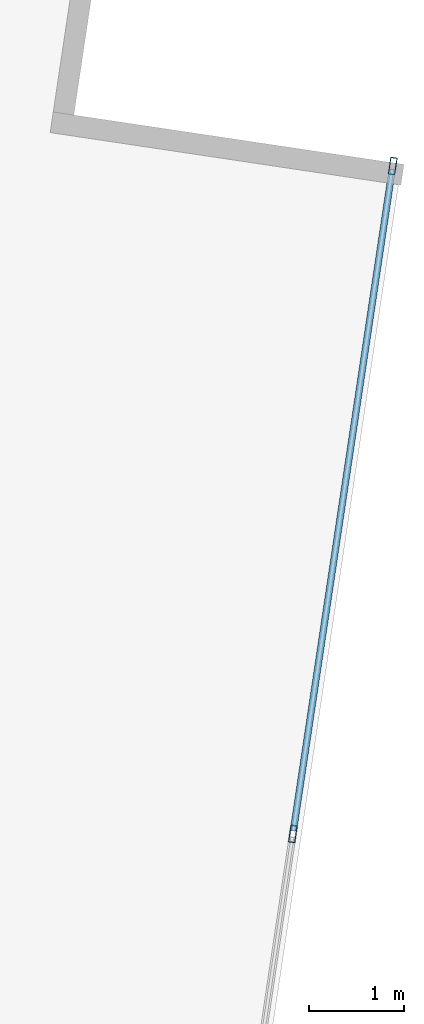
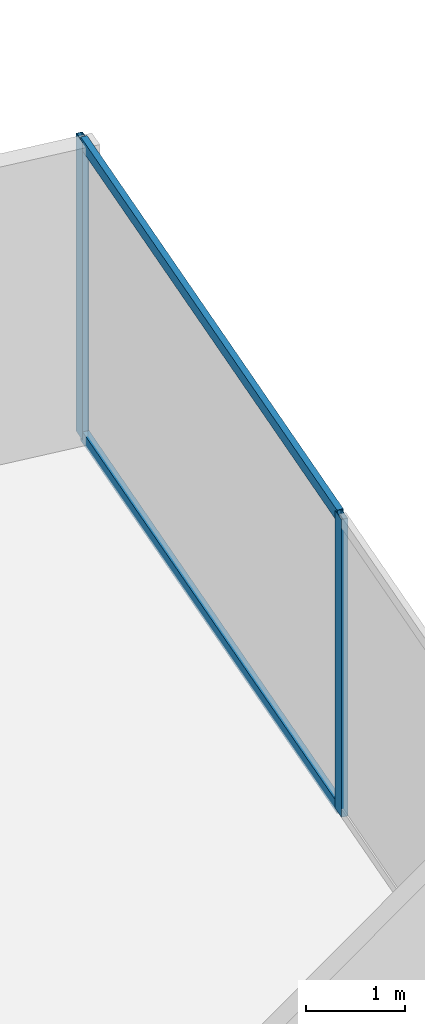
# One storey, part 21 of 29: 4 members, 1 element without a shape of its own.
"""IFC4 building model written with IfcOpenShell, lengths in metres."""

from ifc_helpers import new_model, si_unit, direction, frame, origin, origin_2d, place, context, subcontext, project, spatial, hollow_rectangle, extrude, source, transform, mapped, material, material_profile, profile_set, type_object, type_shapes, element, aggregate, save


model = new_model("IFC4")

# Units and contexts
model_context = context("Model", 3, precision=1e-05, world=origin(), true_north=direction((0.0, 1.0)))
body_context = subcontext(model_context, "Body", "Model", "MODEL_VIEW")
ifc_project = project(units=[si_unit("LENGTHUNIT", "METRE"), si_unit("AREAUNIT", "SQUARE_METRE"), si_unit("VOLUMEUNIT", "CUBIC_METRE"), si_unit("PLANEANGLEUNIT", "RADIAN"), si_unit("MASSUNIT", "GRAM", prefix="KILO")], contexts=[model_context])

# Site, building, storey
site_placement = place(None, origin())
site = spatial("IfcSite", under=ifc_project, at=site_placement, CompositionType="ELEMENT")
building_placement = place(site_placement, origin())
building = spatial("IfcBuilding", under=site, at=building_placement, Name="Krantzveldt Concourse Tower", CompositionType="ELEMENT")
storey_placement = place(building_placement, frame((0.0, 0.0, 72.39990234375)))
storey = spatial("IfcBuildingStorey", under=building, at=storey_placement, Name="L17", CompositionType="ELEMENT", Elevation=72.39990234375)

# Curtain wall, members
ifc_material = material(Name="Anodised aluminium 6063-T6", Category="aluminium")
curtain_wall_type = type_object("IfcCurtainWallType", Name="CW2", PredefinedType="USERDEFINED", material=ifc_material)
curtain_wall_placement = place(storey_placement, origin())
curtain_wall = element("IfcCurtainWall", 1, at=curtain_wall_placement, inside=storey, type_object=curtain_wall_type, Name="CW-L17-F07", ObjectType="UNITISED CURTAIN WALL", PredefinedType="USERDEFINED")
ifc_material_profile_1 = material_profile(ifc_material, hollow_rectangle(XDim=0.070068359375, YDim=0.139892578125, WallThickness=0.0048828125, at=origin_2d()), Name="Anodised aluminium 6063-T6", Category="aluminium")
ifc_profile_set_1 = profile_set([ifc_material_profile_1], Name="Anodised aluminium 6063-T6 - ALU-TRAN 140x70x5")
member_type_1 = type_object("IfcMemberType", Name="CW-TRN-150", PredefinedType="USERDEFINED", material=ifc_profile_set_1)
shared_shape_1 = source(origin(), body_context, "Body", "SweptSolid", [
    extrude(hollow_rectangle(XDim=0.070068359375, YDim=0.139892578125, WallThickness=0.0048828125, at=origin_2d()), origin(), (0.0, 0.0, 1.0), 7.061767578125),
])
type_shapes(member_type_1, [shared_shape_1])
member_1_placement = place(storey_placement, frame((62.76025390625, 37.228515625, 0.03515625), z_axis=(0.147797751082, 0.989017605897, 0.0), x_axis=(-0.989017605897, 0.147797751082, 0.0)))
member_1 = element("IfcMember", 2, at=member_1_placement, type_object=member_type_1, Name="CW-Z12 transom 6.1", ObjectType="TRANSOM", PredefinedType="USERDEFINED", context=body_context, shape_type="MappedRepresentation", body=[
    mapped(shared_shape_1, transform((0.0, 0.0, 0.0), x_axis=(1.0, 0.0, 0.0), y_axis=(0.0, 1.0, 0.0), z_axis=(0.0, 0.0, 1.0), scale=1.0)),
])
member_2_placement = place(storey_placement, frame((62.76025390625, 37.228515625, 3.635009765625), z_axis=(0.147797751082, 0.989017605897, 0.0), x_axis=(-0.989017605897, 0.147797751082, 0.0)))
member_2 = element("IfcMember", 3, at=member_2_placement, type_object=member_type_1, Name="CW-Z12 transom 6.2", ObjectType="TRANSOM", PredefinedType="USERDEFINED", context=body_context, shape_type="MappedRepresentation", body=[
    mapped(shared_shape_1, transform((0.0, 0.0, 0.0), x_axis=(1.0, 0.0, 0.0), y_axis=(0.0, 1.0, 0.0), z_axis=(0.0, 0.0, 1.0), scale=1.0)),
])
ifc_material_profile_2 = material_profile(ifc_material, hollow_rectangle(XDim=0.070068359375, YDim=0.179931640625, WallThickness=0.0048828125, at=origin_2d()), Name="Anodised aluminium 6063-T6", Category="aluminium")
ifc_profile_set_2 = profile_set([ifc_material_profile_2], Name="Anodised aluminium 6063-T6 - ALU-MULL 180x70x5")
member_type_2 = type_object("IfcMemberType", Name="CW-MUL-180", PredefinedType="MULLION", material=ifc_profile_set_2)
shared_shape_2 = source(origin(), body_context, "Body", "SweptSolid", [
    extrude(hollow_rectangle(XDim=0.070068359375, YDim=0.179931640625, WallThickness=0.0048828125, at=origin_2d()), origin(), (0.0, 0.0, 1.0), 3.670166015625),
])
type_shapes(member_type_2, [shared_shape_2])
member_3_placement = place(storey_placement, frame((62.7548828125, 37.19384765625, 0.0), z_axis=(0.0, 0.0, 1.0), x_axis=(-0.989015849271, 0.147809505412, 0.0)))
member_3 = element("IfcMember", 4, at=member_3_placement, type_object=member_type_2, Name="CW-Z12 mullion 6", PredefinedType="MULLION", context=body_context, shape_type="MappedRepresentation", body=[
    mapped(shared_shape_2, transform((0.0, 0.0, 0.0), x_axis=(1.0, 0.0, 0.0), y_axis=(0.0, 1.0, 0.0), z_axis=(0.0, 0.0, 1.0), scale=1.0)),
])
member_4_placement = place(storey_placement, frame((63.80908203125, 44.247314453125, 0.0), z_axis=(0.0, 0.0, 1.0), x_axis=(-0.989015849271, 0.147809505412, 0.0)))
member_4 = element("IfcMember", 5, at=member_4_placement, type_object=member_type_2, Name="CW-Z12 mullion 7", PredefinedType="MULLION", context=body_context, shape_type="MappedRepresentation", body=[
    mapped(shared_shape_2, transform((0.0, 0.0, 0.0), x_axis=(1.0, 0.0, 0.0), y_axis=(0.0, 1.0, 0.0), z_axis=(0.0, 0.0, 1.0), scale=1.0)),
])
aggregate(curtain_wall, [member_3, member_4, member_1, member_2])

save(model, "model.ifc")
